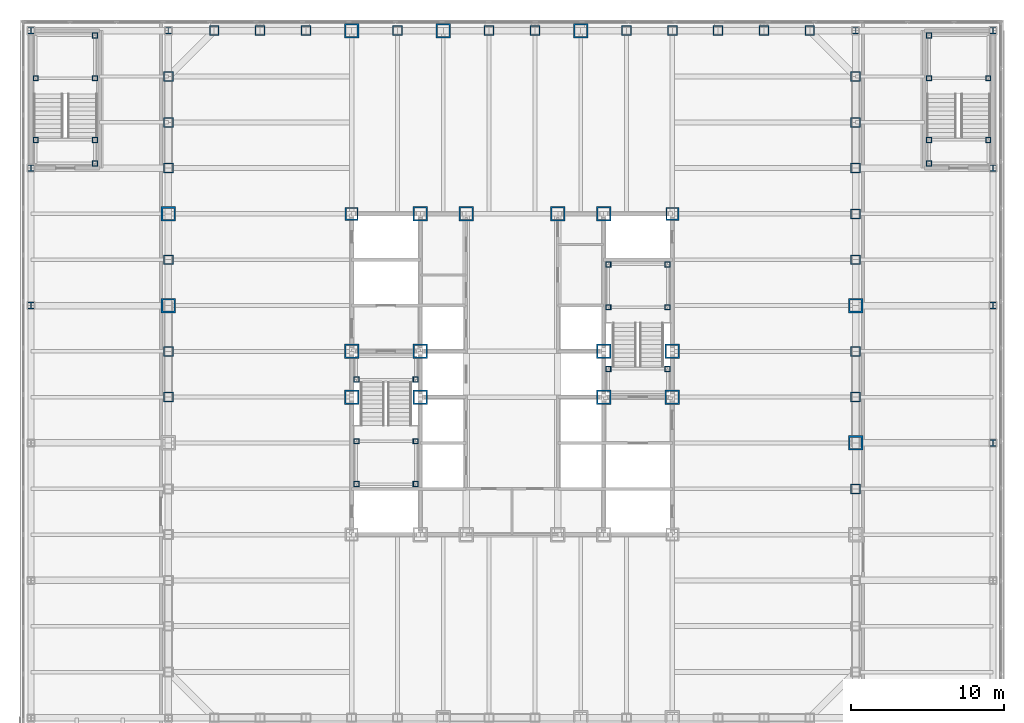
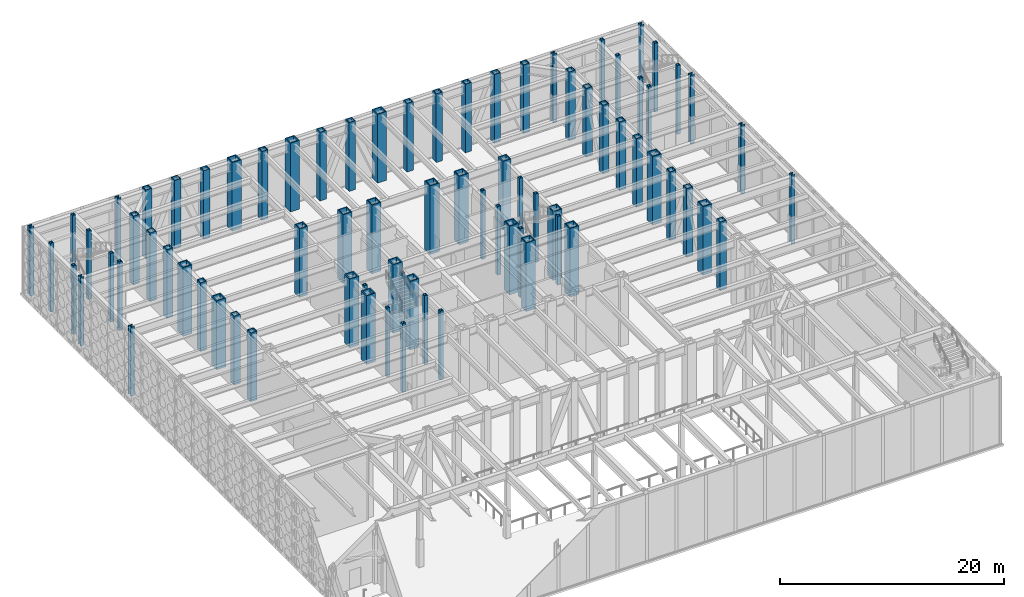
# One storey, part 2 of 34: 79 columns.
"""IFC4 building model written with IfcOpenShell, lengths in metres."""

from ifc_helpers import new_model, si_unit, direction, frame, origin, origin_2d, place, context, subcontext, project, spatial, hollow_rectangle, i_section, extrude, material, material_profile, profile_set, type_object, element, save


model = new_model("IFC4")

# Units and contexts
model_context = context("Model", 3, precision=1e-05, world=origin(), true_north=direction((0.0, 1.0)))
body_context = subcontext(model_context, "Body", "Model", "MODEL_VIEW")
ifc_project = project(units=[si_unit("LENGTHUNIT", "METRE"), si_unit("AREAUNIT", "SQUARE_METRE"), si_unit("VOLUMEUNIT", "CUBIC_METRE"), si_unit("PLANEANGLEUNIT", "RADIAN"), si_unit("MASSUNIT", "GRAM", prefix="KILO")], contexts=[model_context])

# Site, building, storey
site_placement = place(None, origin())
site = spatial("IfcSite", under=ifc_project, at=site_placement, CompositionType="ELEMENT")
building_placement = place(site_placement, origin())
building = spatial("IfcBuilding", under=site, at=building_placement, Name="Chuquiago Exchange Tower", CompositionType="ELEMENT")
storey_placement = place(building_placement, frame((0.0, 0.0, 6.0)))
storey = spatial("IfcBuildingStorey", under=building, at=storey_placement, Name="L01", CompositionType="ELEMENT", Elevation=6.0)

# Columns
ifc_material_1 = material(Name="Steel ASTM A572 Grade 50", Category="steel")
ifc_material_profile_1 = material_profile(ifc_material_1, hollow_rectangle(XDim=0.64990234375, YDim=0.64990234375, WallThickness=0.06494140625, at=origin_2d()), Name="BOX650X650X65")
ifc_profile_set_1 = profile_set([ifc_material_profile_1], Name="Steel ASTM A572 Grade 50")
column_type_1 = type_object("IfcColumnType", Name="C1 BOX650X650X65", PredefinedType="COLUMN", material=ifc_profile_set_1)
for number, where, z_axis, x_axis, name in (
    (1, (45.0, 15.0, 0.0), (0.0, 0.0, 1.0), (1.0, 0.0, 0.0), "COL-L01-45_15"),
    (2, (45.0, 21.0, 0.0), (0.0, 0.0, 1.0), (1.0, 0.0, 0.0), "COL-L01-45_21"),
    (3, (45.0, 24.0, 0.0), (0.0, 0.0, 1.0), (1.0, 0.0, 0.0), "COL-L01-45_24"),
    (4, (45.0, 30.0, 0.0), (0.0, 0.0, 1.0), (1.0, 0.0, 0.0), "COL-L01-45_30"),
    (5, (45.0, 33.0, 0.0), (0.0, 0.0, 1.0), (1.0, 0.0, 0.0), "COL-L01-45_33"),
    (6, (45.0, 36.0, 0.0), (0.0, 0.0, 1.0), (1.0, 0.0, 0.0), "COL-L01-45_36"),
    (7, (45.0, 39.0, 0.0), (0.0, 0.0, 1.0), (1.0, 0.0, 0.0), "COL-L01-45_39"),
    (8, (45.0, 42.0, 0.0), (0.0, 0.0, 1.0), (1.0, 0.0, 0.0), "COL-L01-45_42"),
    (9, (42.0, 45.0, 0.0), (0.0, 0.0, 1.0), (0.0, 1.0, 0.0), "COL-L01-42_45"),
    (10, (39.0, 45.0, 0.0), (0.0, 0.0, 1.0), (0.0, 1.0, 0.0), "COL-L01-39_45"),
    (11, (36.0, 45.0, 0.0), (0.0, 0.0, 1.0), (0.0, 1.0, 0.0), "COL-L01-36_45"),
    (12, (33.0, 45.0, 0.0), (0.0, 0.0, 1.0), (0.0, 1.0, 0.0), "COL-L01-33_45"),
    (13, (30.0, 45.0, 0.0), (0.0, 0.0, 1.0), (0.0, 1.0, 0.0), "COL-L01-30_45"),
    (14, (24.0, 45.0, 0.0), (0.0, 0.0, 1.0), (0.0, 1.0, 0.0), "COL-L01-24_45"),
    (15, (21.0, 45.0, 0.0), (0.0, 0.0, 1.0), (0.0, 1.0, 0.0), "COL-L01-21_45"),
    (16, (15.0, 45.0, 0.0), (0.0, 0.0, 1.0), (0.0, 1.0, 0.0), "COL-L01-15_45"),
    (17, (9.0, 45.0, 0.0), (0.0, 0.0, 1.0), (0.0, 1.0, 0.0), "COL-L01-9_45"),
    (18, (6.0, 45.0, 0.0), (0.0, 0.0, 1.0), (0.0, 1.0, 0.0), "COL-L01-6_45"),
    (19, (3.0, 45.0, 0.0), (0.0, 0.0, 1.0), (0.0, 1.0, 0.0), "COL-L01-3_45"),
    (20, (0.0, 42.0, 0.0), (0.0, 0.0, 1.0), (-1.0, 0.0, 0.0), "COL-L01-0_42"),
    (21, (0.0, 39.0, 0.0), (0.0, 0.0, 1.0), (-1.0, 0.0, 0.0), "COL-L01-0_39"),
    (22, (0.0, 36.0, 0.0), (0.0, 0.0, 1.0), (-1.0, 0.0, 0.0), "COL-L01-0_36"),
    (23, (0.0, 30.0, 0.0), (0.0, 0.0, 1.0), (-1.0, 0.0, 0.0), "COL-L01-0_30"),
    (24, (0.0, 24.0, 0.0), (0.0, 0.0, 1.0), (-1.0, 0.0, 0.0), "COL-L01-0_24"),
    (25, (0.0, 21.0, 0.0), (0.0, 0.0, 1.0), (-1.0, 0.0, 0.0), "COL-L01-0_21"),
):
    element("IfcColumn", number, at=place(storey_placement, frame(where, z_axis=z_axis, x_axis=x_axis)), inside=storey, type_object=column_type_1, Name=name, PredefinedType="COLUMN", context=body_context, shape_type="SweptSolid", body=[
        extrude(hollow_rectangle(XDim=0.64990234375, YDim=0.64990234375, WallThickness=0.06494140625, at=origin_2d()), origin(), (0.0, 0.0, 1.0), 7.5),
    ])
ifc_material_2 = material(Name="Steel ASTM A572 Grade 50", Category="steel")
ifc_material_profile_2 = material_profile(ifc_material_2, hollow_rectangle(XDim=0.949951171875, YDim=0.949951171875, WallThickness=0.094970703125, at=origin_2d()), Name="BOX950X950X95")
ifc_profile_set_2 = profile_set([ifc_material_profile_2], Name="Steel ASTM A572 Grade 50")
column_type_2 = type_object("IfcColumnType", Name="CC1 BOX950X950X95", PredefinedType="COLUMN", material=ifc_profile_set_2)
for number, where, z_axis, x_axis, name in (
    (26, (16.5, 33.0, 0.0), (0.0, 0.0, 1.0), (1.0, 0.0, 0.0), "CCOL-L01-16.5_33"),
    (27, (19.5, 33.0, 0.0), (0.0, 0.0, 1.0), (1.0, 0.0, 0.0), "CCOL-L01-19.5_33"),
    (28, (25.5, 33.0, 0.0), (0.0, 0.0, 1.0), (1.0, 0.0, 0.0), "CCOL-L01-25.5_33"),
    (29, (28.5, 33.0, 0.0), (0.0, 0.0, 1.0), (1.0, 0.0, 0.0), "CCOL-L01-28.5_33"),
    (30, (12.0, 21.0, 0.0), (0.0, 0.0, 1.0), (1.0, 0.0, 0.0), "CCOL-L01-12_21"),
    (31, (12.0, 24.0, 0.0), (0.0, 0.0, 1.0), (1.0, 0.0, 0.0), "CCOL-L01-12_24"),
    (32, (33.0, 21.0, 0.0), (0.0, 0.0, 1.0), (1.0, 0.0, 0.0), "CCOL-L01-33_21"),
    (33, (33.0, 24.0, 0.0), (0.0, 0.0, 1.0), (1.0, 0.0, 0.0), "CCOL-L01-33_24"),
    (34, (16.5, 21.0, 0.0), (0.0, 0.0, 1.0), (1.0, 0.0, 0.0), "CCOL-L01-16.5_21"),
    (35, (16.5, 24.0, 0.0), (0.0, 0.0, 1.0), (1.0, 0.0, 0.0), "CCOL-L01-16.5_24"),
    (36, (28.5, 21.0, 0.0), (0.0, 0.0, 1.0), (1.0, 0.0, 0.0), "CCOL-L01-28.5_21"),
    (37, (28.5, 24.0, 0.0), (0.0, 0.0, 1.0), (1.0, 0.0, 0.0), "CCOL-L01-28.5_24"),
):
    element("IfcColumn", number, at=place(storey_placement, frame(where, z_axis=z_axis, x_axis=x_axis)), inside=storey, type_object=column_type_2, Name=name, PredefinedType="COLUMN", context=body_context, shape_type="SweptSolid", body=[
        extrude(hollow_rectangle(XDim=0.949951171875, YDim=0.949951171875, WallThickness=0.094970703125, at=origin_2d()), origin(), (0.0, 0.0, 1.0), 7.5),
    ])
ifc_material_3 = material(Name="Steel ASTM A572 Grade 50", Category="steel")
ifc_material_profile_3 = material_profile(ifc_material_3, hollow_rectangle(XDim=0.85009765625, YDim=0.85009765625, WallThickness=0.0849609375, at=origin_2d()), Name="BOX850X850X85")
ifc_profile_set_3 = profile_set([ifc_material_profile_3], Name="Steel ASTM A572 Grade 50")
column_type_3 = type_object("IfcColumnType", Name="CC6 BOX850X850X85", PredefinedType="COLUMN", material=ifc_profile_set_3)
for number, where, z_axis, x_axis, name in (
    (38, (12.0, 33.0, 0.0), (0.0, 0.0, 1.0), (1.0, 0.0, 0.0), "CCOL-L01-12_33"),
    (39, (33.0, 33.0, 0.0), (0.0, 0.0, 1.0), (1.0, 0.0, 0.0), "CCOL-L01-33_33"),
):
    element("IfcColumn", number, at=place(storey_placement, frame(where, z_axis=z_axis, x_axis=x_axis)), inside=storey, type_object=column_type_3, Name=name, PredefinedType="COLUMN", context=body_context, shape_type="SweptSolid", body=[
        extrude(hollow_rectangle(XDim=0.85009765625, YDim=0.85009765625, WallThickness=0.0849609375, at=origin_2d()), origin(), (0.0, 0.0, 1.0), 7.5),
    ])
ifc_material_4 = material(Name="Steel ASTM A572 Grade 42", Category="steel")
ifc_material_profile_4 = material_profile(ifc_material_4, hollow_rectangle(XDim=0.949951171875, YDim=0.949951171875, WallThickness=0.110107421875, at=origin_2d()), Name="BOX950X950X110")
ifc_profile_set_4 = profile_set([ifc_material_profile_4], Name="Steel ASTM A572 Grade 42")
column_type_4 = type_object("IfcColumnType", Name="CT1 BOX950X950X110", PredefinedType="COLUMN", material=ifc_profile_set_4)
for number, where, z_axis, x_axis, name in (
    (40, (45.0, 18.0, 0.0), (0.0, 0.0, 1.0), (1.0, 0.0, 0.0), "COL-L01-45_18"),
    (41, (45.0, 27.0, 0.0), (0.0, 0.0, 1.0), (1.0, 0.0, 0.0), "COL-L01-45_27"),
    (42, (27.0, 45.0, 0.0), (0.0, 0.0, 1.0), (0.0, 1.0, 0.0), "COL-L01-27_45"),
    (43, (18.0, 45.0, 0.0), (0.0, 0.0, 1.0), (0.0, 1.0, 0.0), "COL-L01-18_45"),
    (44, (12.0, 45.0, 0.0), (0.0, 0.0, 1.0), (0.0, 1.0, 0.0), "COL-L01-12_45"),
    (45, (0.0, 33.0, 0.0), (0.0, 0.0, 1.0), (-1.0, 0.0, 0.0), "COL-L01-0_33"),
    (46, (0.0, 27.0, 0.0), (0.0, 0.0, 1.0), (-1.0, 0.0, 0.0), "COL-L01-0_27"),
):
    element("IfcColumn", number, at=place(storey_placement, frame(where, z_axis=z_axis, x_axis=x_axis)), inside=storey, type_object=column_type_4, Name=name, PredefinedType="COLUMN", context=body_context, shape_type="SweptSolid", body=[
        extrude(hollow_rectangle(XDim=0.949951171875, YDim=0.949951171875, WallThickness=0.110107421875, at=origin_2d()), origin(), (0.0, 0.0, 1.0), 7.5),
    ])
ifc_material_5 = material(Name="Steel ASTM A992", Category="steel")
ifc_material_profile_5 = material_profile(ifc_material_5, i_section(OverallWidth=0.411376953125, OverallDepth=0.434326171875, WebThickness=0.035888671875, FlangeThickness=0.057373046875, at=origin_2d()), Name="W14X311")
ifc_profile_set_5 = profile_set([ifc_material_profile_5], Name="Steel ASTM A992")
column_type_5 = type_object("IfcColumnType", Name="PC1 W14X311", PredefinedType="COLUMN", material=ifc_profile_set_5)
for number, where, z_axis, x_axis, name in (
    (47, (-9.0, 27.0, 0.0), (0.0, 0.0, 1.0), (1.0, 0.0, 0.0), "PCOL-L01--9_27"),
    (48, (-9.0, 36.0, 0.0), (0.0, 0.0, 1.0), (1.0, 0.0, 0.0), "PCOL-L01--9_36"),
    (49, (-9.0, 45.0, 0.0), (0.0, 0.0, 1.0), (1.0, 0.0, 0.0), "PCOL-L01--9_45"),
    (50, (0.0, 45.0, 0.0), (0.0, 0.0, 1.0), (1.0, 0.0, 0.0), "PCOL-L01-0_45"),
    (51, (45.0, 45.0, 0.0), (0.0, 0.0, 1.0), (1.0, 0.0, 0.0), "PCOL-L01-45_45"),
    (52, (54.0, 18.0, 0.0), (0.0, 0.0, 1.0), (1.0, 0.0, 0.0), "PCOL-L01-54_18"),
    (53, (54.0, 27.0, 0.0), (0.0, 0.0, 1.0), (1.0, 0.0, 0.0), "PCOL-L01-54_27"),
    (54, (54.0, 36.0, 0.0), (0.0, 0.0, 1.0), (1.0, 0.0, 0.0), "PCOL-L01-54_36"),
    (55, (54.0, 45.0, 0.0), (0.0, 0.0, 1.0), (1.0, 0.0, 0.0), "PCOL-L01-54_45"),
):
    element("IfcColumn", number, at=place(storey_placement, frame(where, z_axis=z_axis, x_axis=x_axis)), inside=storey, type_object=column_type_5, Name=name, PredefinedType="COLUMN", context=body_context, shape_type="SweptSolid", body=[
        extrude(i_section(OverallWidth=0.411376953125, OverallDepth=0.434326171875, WebThickness=0.035888671875, FlangeThickness=0.057373046875, at=origin_2d()), origin(), (0.0, 0.0, 1.0), 7.5),
    ])
ifc_material_6 = material(Name="Steel ASTM A572 Grade 50", Category="steel")
ifc_material_profile_6 = material_profile(ifc_material_6, hollow_rectangle(XDim=0.35009765625, YDim=0.35009765625, WallThickness=0.034912109375, at=origin_2d()), Name="BOX350X350X35")
ifc_profile_set_6 = profile_set([ifc_material_profile_6], Name="Steel ASTM A572 Grade 50")
column_type_6 = type_object("IfcColumnType", Name="PT3 BOX350X350X35", PredefinedType="COLUMN", material=ifc_profile_set_6)
for number, where, z_axis, x_axis, name in (
    (56, (12.31005859375, 15.31005859375, 0.0), (0.0, 0.0, 1.0), (1.0, 0.0, 0.0), "Stair ST1 L01 landing post"),
    (57, (16.18994140625, 15.31005859375, 0.0), (0.0, 0.0, 1.0), (1.0, 0.0, 0.0), "Stair ST1 L01 landing post"),
    (58, (12.31005859375, 18.110107421875, 0.0), (0.0, 0.0, 1.0), (1.0, 0.0, 0.0), "Stair ST1 L01 landing post"),
    (59, (16.18994140625, 18.110107421875, 0.0), (0.0, 0.0, 1.0), (1.0, 0.0, 0.0), "Stair ST1 L01 landing post"),
    (60, (12.31005859375, 22.14990234375, 0.0), (0.0, 0.0, 1.0), (1.0, 0.0, 0.0), "Stair ST1 L01 landing post"),
    (61, (16.18994140625, 22.14990234375, 0.0), (0.0, 0.0, 1.0), (1.0, 0.0, 0.0), "Stair ST1 L01 landing post"),
    (62, (28.81005859375, 29.68994140625, 0.0), (0.0, 0.0, 1.0), (1.0, 0.0, 0.0), "Stair ST2 L01 landing post"),
    (63, (32.68994140625, 29.68994140625, 0.0), (0.0, 0.0, 1.0), (1.0, 0.0, 0.0), "Stair ST2 L01 landing post"),
    (64, (28.81005859375, 26.889892578125, 0.0), (0.0, 0.0, 1.0), (1.0, 0.0, 0.0), "Stair ST2 L01 landing post"),
    (65, (32.68994140625, 26.889892578125, 0.0), (0.0, 0.0, 1.0), (1.0, 0.0, 0.0), "Stair ST2 L01 landing post"),
    (66, (28.81005859375, 22.85009765625, 0.0), (0.0, 0.0, 1.0), (1.0, 0.0, 0.0), "Stair ST2 L01 landing post"),
    (67, (32.68994140625, 22.85009765625, 0.0), (0.0, 0.0, 1.0), (1.0, 0.0, 0.0), "Stair ST2 L01 landing post"),
    (68, (-4.81005859375, 44.68994140625, 0.0), (0.0, 0.0, 1.0), (1.0, 0.0, 0.0), "Stair PS3 L01 landing post"),
    (69, (-8.68994140625, 41.889892578125, 0.0), (0.0, 0.0, 1.0), (1.0, 0.0, 0.0), "Stair PS3 L01 landing post"),
    (70, (-4.81005859375, 41.889892578125, 0.0), (0.0, 0.0, 1.0), (1.0, 0.0, 0.0), "Stair PS3 L01 landing post"),
    (71, (-8.68994140625, 37.85009765625, 0.0), (0.0, 0.0, 1.0), (1.0, 0.0, 0.0), "Stair PS3 L01 landing post"),
    (72, (-4.81005859375, 37.85009765625, 0.0), (0.0, 0.0, 1.0), (1.0, 0.0, 0.0), "Stair PS3 L01 landing post"),
    (73, (-4.81005859375, 36.31005859375, 0.0), (0.0, 0.0, 1.0), (1.0, 0.0, 0.0), "Stair PS3 L01 landing post"),
    (74, (49.81005859375, 44.68994140625, 0.0), (0.0, 0.0, 1.0), (1.0, 0.0, 0.0), "Stair PS4 L01 landing post"),
    (75, (49.81005859375, 41.889892578125, 0.0), (0.0, 0.0, 1.0), (1.0, 0.0, 0.0), "Stair PS4 L01 landing post"),
    (76, (53.68994140625, 41.889892578125, 0.0), (0.0, 0.0, 1.0), (1.0, 0.0, 0.0), "Stair PS4 L01 landing post"),
    (77, (49.81005859375, 37.85009765625, 0.0), (0.0, 0.0, 1.0), (1.0, 0.0, 0.0), "Stair PS4 L01 landing post"),
    (78, (53.68994140625, 37.85009765625, 0.0), (0.0, 0.0, 1.0), (1.0, 0.0, 0.0), "Stair PS4 L01 landing post"),
    (79, (49.81005859375, 36.31005859375, 0.0), (0.0, 0.0, 1.0), (1.0, 0.0, 0.0), "Stair PS4 L01 landing post"),
):
    element("IfcColumn", number, at=place(storey_placement, frame(where, z_axis=z_axis, x_axis=x_axis)), inside=storey, type_object=column_type_6, Name=name, PredefinedType="COLUMN", context=body_context, shape_type="SweptSolid", body=[
        extrude(hollow_rectangle(XDim=0.35009765625, YDim=0.35009765625, WallThickness=0.034912109375, at=origin_2d()), origin(), (0.0, 0.0, 1.0), 7.5),
    ])

save(model, "model.ifc")
